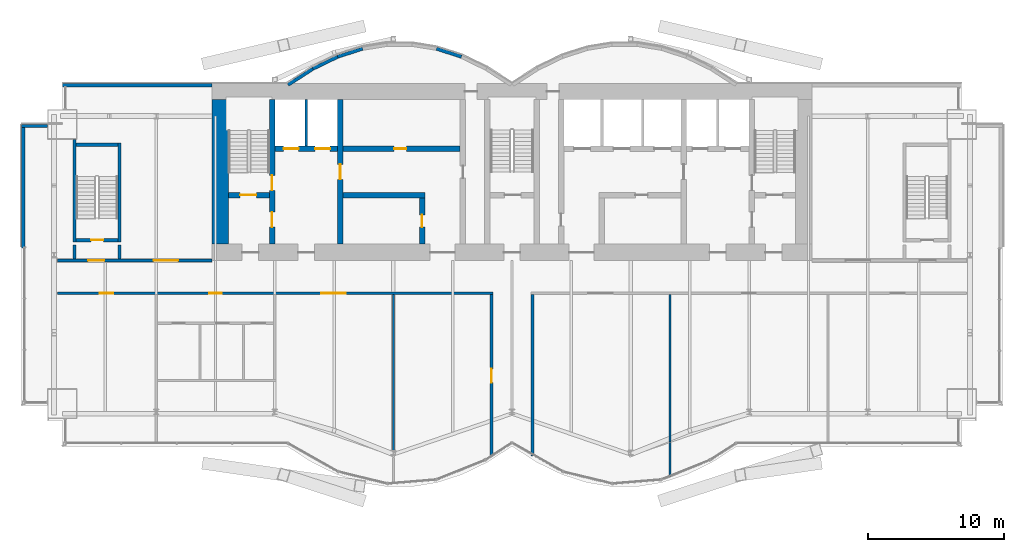
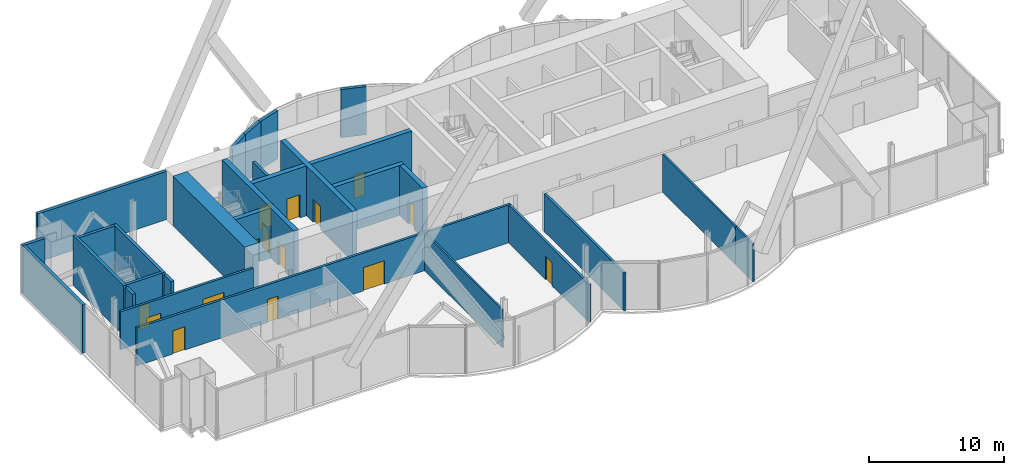
# One storey, part 14 of 20: 28 walls, 15 doors, 15 openings.
"""IFC4 building model written with IfcOpenShell, lengths in metres."""

from ifc_helpers import new_model, si_unit, direction, frame, frame_2d, origin, place, context, subcontext, project, spatial, rectangle, extrude, material, layer, layer_set, layer_usage, type_object, element, fill, save


model = new_model("IFC4")

# Units and contexts
model_context = context("Model", 3, precision=1e-05, world=origin(), true_north=direction((0.0, 1.0)))
body_context = subcontext(model_context, "Body", "Model", "MODEL_VIEW")
ifc_project = project(units=[si_unit("LENGTHUNIT", "METRE"), si_unit("AREAUNIT", "SQUARE_METRE"), si_unit("VOLUMEUNIT", "CUBIC_METRE"), si_unit("PLANEANGLEUNIT", "RADIAN"), si_unit("MASSUNIT", "GRAM", prefix="KILO")], contexts=[model_context])

# Site, building, storey
site_placement = place(None, origin())
site = spatial("IfcSite", under=ifc_project, at=site_placement, CompositionType="ELEMENT")
building_placement = place(site_placement, origin())
building = spatial("IfcBuilding", under=site, at=building_placement, Name="Bicima Exchange Tower", CompositionType="ELEMENT")
storey_placement = place(building_placement, frame((0.0, 0.0, 306.5)))
storey = spatial("IfcBuildingStorey", under=building, at=storey_placement, Name="L69", CompositionType="ELEMENT", Elevation=306.5)

# Wall
ifc_material_1 = material(Name="Gypsum board partition")
ifc_layer_1 = layer(ifc_material_1, 0.199951171875)
ifc_layer_set_1 = layer_set([ifc_layer_1], Name="Gypsum board partition")
wall_type_1 = type_object("IfcWallType", Name="Fire-rated gypsum partition 200 EI120", PredefinedType="PARTITIONING", material=ifc_layer_set_1)
wall_1_placement = place(storey_placement, frame((-15.10009765625, -4.60009765625, 0.0), z_axis=(0.0, 0.0, 1.0), x_axis=(0.0, 1.0, 0.0)))
element("IfcWall", 1, at=wall_1_placement, inside=storey, type_object=wall_type_1, Name="partition wall 9", PredefinedType="PARTITIONING", context=body_context, shape_type="SweptSolid", body=[
    extrude(rectangle(XDim=3.400146484375, YDim=0.199951171875, at=frame_2d((1.7001953125, 0.0))), origin(), (0.0, 0.0, 1.0), 3.418212890625),
])

# Wall, openings, doors
ifc_layer_2 = layer(ifc_material_1, 0.199951171875)
ifc_layer_set_2 = layer_set([ifc_layer_2], Name="Gypsum board partition")
wall_type_2 = type_object("IfcWallType", Name="Fire-rated gypsum partition 200 EI60", PredefinedType="PARTITIONING", material=ifc_layer_set_2)
wall_2_placement = place(storey_placement, frame((-33.340087890625, -15.39990234375, 0.0), z_axis=(0.0, 0.0, 1.0), x_axis=(1.0, 0.0, 0.0)))
wall_2 = element("IfcWall", 2, at=wall_2_placement, inside=storey, type_object=wall_type_2, Name="partition wall 3", PredefinedType="PARTITIONING", context=body_context, shape_type="SweptSolid", body=[
    extrude(rectangle(XDim=31.940185546875, YDim=0.199951171875, at=frame_2d((15.97021484375, 0.0))), origin(), (0.0, 0.0, 1.0), 3.418212890625),
])
opening_1_placement = place(wall_2_placement, frame((3.10009765625, 0.0, 0.0)))
opening_1 = element("IfcOpeningElement", 3, at=opening_1_placement, cuts=wall_2, Name="Opening L69-007", PredefinedType="OPENING", context=body_context, shape_type="SweptSolid", body=[
    extrude(rectangle(XDim=1.0, YDim=2.10009765625, at=frame_2d((0.5, 1.050048828125))), frame((0.0, 0.11181640625, 0.0), z_axis=(0.0, -1.0, 0.0), x_axis=(1.0, 0.0, 0.0)), (0.0, 0.0, 1.0), 0.223876953125),
])
opening_2_placement = place(wall_2_placement, frame((11.139892578125, 0.0, 0.0)))
opening_2 = element("IfcOpeningElement", 4, at=opening_2_placement, cuts=wall_2, Name="Opening L69-008", PredefinedType="OPENING", context=body_context, shape_type="SweptSolid", body=[
    extrude(rectangle(XDim=0.89990234375, YDim=2.10009765625, at=frame_2d((0.449951171875, 1.050048828125))), frame((0.0, 0.11181640625, 0.0), z_axis=(0.0, -1.0, 0.0), x_axis=(1.0, 0.0, 0.0)), (0.0, 0.0, 1.0), 0.223876953125),
])
opening_3_placement = place(wall_2_placement, frame((19.340087890625, 0.0, 0.0)))
opening_3 = element("IfcOpeningElement", 5, at=opening_3_placement, cuts=wall_2, Name="Opening L69-012", PredefinedType="OPENING", context=body_context, shape_type="SweptSolid", body=[
    extrude(rectangle(XDim=1.800048828125, YDim=2.10009765625, at=frame_2d((0.89990234375, 1.050048828125))), frame((0.0, 0.11181640625, 0.0), z_axis=(0.0, -1.0, 0.0), x_axis=(1.0, 0.0, 0.0)), (0.0, 0.0, 1.0), 0.223876953125),
])
ifc_material_2 = material(Name="Steel fire door leaf", Category="steel")
door_type_1 = type_object("IfcDoorType", Name="Door 1000 swing FD30S", OperationType="SINGLE_SWING_LEFT", PredefinedType="DOOR", material=ifc_material_2)
door_1_placement = place(opening_1_placement, frame((1.0, 0.0, 0.0), z_axis=(0.0, 0.0, 1.0), x_axis=(-1.0, 0.0, 0.0)))
door_1 = element("IfcDoor", 6, at=door_1_placement, inside=storey, type_object=door_type_1, Name="Door", OperationType="SINGLE_SWING_LEFT", OverallHeight=2.10009765625, OverallWidth=1.0, PredefinedType="DOOR", context=body_context, shape_type="SweptSolid", body=[
    extrude(rectangle(XDim=1.0, YDim=2.10009765625, at=frame_2d((0.5, 1.050048828125))), frame((0.0, 0.02490234375, 0.0), z_axis=(0.0, -1.0, 0.0), x_axis=(1.0, 0.0, 0.0)), (0.0, 0.0, 1.0), 0.050048828125),
])
fill(opening_1, door_1)
door_type_2 = type_object("IfcDoorType", Name="Door 1800 double swing FD30S", OperationType="DOUBLE_DOOR_SINGLE_SWING", PredefinedType="DOOR", material=ifc_material_2)
door_2_placement = place(opening_3_placement, origin())
door_2 = element("IfcDoor", 7, at=door_2_placement, inside=storey, type_object=door_type_2, Name="Door", OperationType="SINGLE_SWING_LEFT", OverallHeight=2.10009765625, OverallWidth=1.800048828125, PredefinedType="DOOR", context=body_context, shape_type="SweptSolid", body=[
    extrude(rectangle(XDim=1.800048828125, YDim=2.10009765625, at=frame_2d((0.89990234375, 1.050048828125))), frame((0.0, 0.02490234375, 0.0), z_axis=(0.0, -1.0, 0.0), x_axis=(1.0, 0.0, 0.0)), (0.0, 0.0, 1.0), 0.050048828125),
])
fill(opening_3, door_2)
door_type_3 = type_object("IfcDoorType", Name="Door 900 swing FD30S", OperationType="SINGLE_SWING_LEFT", PredefinedType="DOOR", material=ifc_material_2)
door_3_placement = place(opening_2_placement, frame((0.89990234375, 0.0, 0.0), z_axis=(0.0, 0.0, 1.0), x_axis=(-1.0, 0.0, 0.0)))
door_3 = element("IfcDoor", 8, at=door_3_placement, inside=storey, type_object=door_type_3, Name="Door", OperationType="SINGLE_SWING_RIGHT", OverallHeight=2.10009765625, OverallWidth=0.89990234375, PredefinedType="DOOR", context=body_context, shape_type="SweptSolid", body=[
    extrude(rectangle(XDim=0.89990234375, YDim=2.10009765625, at=frame_2d((0.449951171875, 1.050048828125))), frame((0.0, 0.02490234375, 0.0), z_axis=(0.0, -1.0, 0.0), x_axis=(1.0, 0.0, 0.0)), (0.0, 0.0, 1.0), 0.050048828125),
])
fill(opening_2, door_3)

wall_3_placement = place(storey_placement, frame((-33.340087890625, -13.0, 0.0), z_axis=(0.0, 0.0, 1.0), x_axis=(1.0, 0.0, 0.0)))
wall_3 = element("IfcWall", 9, at=wall_3_placement, inside=storey, type_object=wall_type_2, Name="partition wall 5", PredefinedType="PARTITIONING", context=body_context, shape_type="SweptSolid", body=[
    extrude(rectangle(XDim=11.340087890625, YDim=0.199951171875, at=frame_2d((5.669921875, 0.0))), origin(), (0.0, 0.0, 1.0), 3.418212890625),
])
opening_4_placement = place(wall_3_placement, frame((2.239990234375, 0.0, 0.0)))
opening_4 = element("IfcOpeningElement", 10, at=opening_4_placement, cuts=wall_3, Name="Opening L69-001", PredefinedType="OPENING", context=body_context, shape_type="SweptSolid", body=[
    extrude(rectangle(XDim=1.199951171875, YDim=2.10009765625, at=frame_2d((0.60009765625, 1.050048828125))), frame((0.0, 0.11181640625, 0.0), z_axis=(0.0, -1.0, 0.0), x_axis=(1.0, 0.0, 0.0)), (0.0, 0.0, 1.0), 0.223876953125),
])
opening_5_placement = place(wall_3_placement, frame((7.0400390625, 0.0, 0.0)))
opening_5 = element("IfcOpeningElement", 11, at=opening_5_placement, cuts=wall_3, Name="Opening L69-005", PredefinedType="OPENING", context=body_context, shape_type="SweptSolid", body=[
    extrude(rectangle(XDim=1.800048828125, YDim=2.10009765625, at=frame_2d((0.89990234375, 1.050048828125))), frame((0.0, 0.11181640625, 0.0), z_axis=(0.0, -1.0, 0.0), x_axis=(1.0, 0.0, 0.0)), (0.0, 0.0, 1.0), 0.223876953125),
])
door_type_4 = type_object("IfcDoorType", Name="Door 1200 swing FD30S", OperationType="SINGLE_SWING_LEFT", PredefinedType="DOOR", material=ifc_material_2)
door_4_placement = place(opening_4_placement, origin())
door_4 = element("IfcDoor", 12, at=door_4_placement, inside=storey, type_object=door_type_4, Name="Door", OperationType="SINGLE_SWING_LEFT", OverallHeight=2.10009765625, OverallWidth=1.199951171875, PredefinedType="DOOR", context=body_context, shape_type="SweptSolid", body=[
    extrude(rectangle(XDim=1.199951171875, YDim=2.10009765625, at=frame_2d((0.60009765625, 1.050048828125))), frame((0.0, 0.02490234375, 0.0), z_axis=(0.0, -1.0, 0.0), x_axis=(1.0, 0.0, 0.0)), (0.0, 0.0, 1.0), 0.050048828125),
])
fill(opening_4, door_4)
door_5_placement = place(opening_5_placement, origin())
door_5 = element("IfcDoor", 13, at=door_5_placement, inside=storey, type_object=door_type_2, Name="Door", OperationType="SINGLE_SWING_LEFT", OverallHeight=2.10009765625, OverallWidth=1.800048828125, PredefinedType="DOOR", context=body_context, shape_type="SweptSolid", body=[
    extrude(rectangle(XDim=1.800048828125, YDim=2.10009765625, at=frame_2d((0.89990234375, 1.050048828125))), frame((0.0, 0.02490234375, 0.0), z_axis=(0.0, -1.0, 0.0), x_axis=(1.0, 0.0, 0.0)), (0.0, 0.0, 1.0), 0.050048828125),
])
fill(opening_5, door_5)

# Wall, opening, door
wall_4_placement = place(storey_placement, frame((-1.5, -27.35009765625, 0.0), z_axis=(0.0, 0.0, 1.0), x_axis=(0.0, 1.0, 0.0)))
wall_4 = element("IfcWall", 14, at=wall_4_placement, inside=storey, type_object=wall_type_2, Name="partition wall 19", PredefinedType="PARTITIONING", context=body_context, shape_type="SweptSolid", body=[
    extrude(rectangle(XDim=11.85009765625, YDim=0.199951171875, at=frame_2d((5.925048828125, 0.0))), origin(), (0.0, 0.0, 1.0), 3.418212890625),
])
opening_6_placement = place(wall_4_placement, frame((5.39990234375, 0.0, 0.0)))
opening_6 = element("IfcOpeningElement", 15, at=opening_6_placement, cuts=wall_4, Name="Opening L69-013", PredefinedType="OPENING", context=body_context, shape_type="SweptSolid", body=[
    extrude(rectangle(XDim=1.0, YDim=2.10009765625, at=frame_2d((0.5, 1.050048828125))), frame((0.0, 0.11181640625, 0.0), z_axis=(0.0, -1.0, 0.0), x_axis=(1.0, 0.0, 0.0)), (0.0, 0.0, 1.0), 0.223876953125),
])
door_6_placement = place(opening_6_placement, origin())
door_6 = element("IfcDoor", 16, at=door_6_placement, inside=storey, type_object=door_type_1, Name="Door", OperationType="SINGLE_SWING_LEFT", OverallHeight=2.10009765625, OverallWidth=1.0, PredefinedType="DOOR", context=body_context, shape_type="SweptSolid", body=[
    extrude(rectangle(XDim=1.0, YDim=2.10009765625, at=frame_2d((0.5, 1.050048828125))), frame((0.0, 0.02490234375, 0.0), z_axis=(0.0, -1.0, 0.0), x_axis=(1.0, 0.0, 0.0)), (0.0, 0.0, 1.0), 0.050048828125),
])
fill(opening_6, door_6)

# Walls
wall_5_placement = place(storey_placement, frame((1.5, -27.35009765625, 0.0), z_axis=(0.0, 0.0, 1.0), x_axis=(0.0, 1.0, 0.0)))
element("IfcWall", 17, at=wall_5_placement, inside=storey, type_object=wall_type_2, Name="partition wall 20", PredefinedType="PARTITIONING", context=body_context, shape_type="SweptSolid", body=[
    extrude(rectangle(XDim=11.85009765625, YDim=0.199951171875, at=frame_2d((5.925048828125, 0.0))), origin(), (0.0, 0.0, 1.0), 3.418212890625),
])
ifc_layer_3 = layer(ifc_material_1, 0.14990234375)
ifc_layer_set_3 = layer_set([ifc_layer_3], Name="Gypsum board partition")
wall_type_3 = type_object("IfcWallType", Name="Gypsum partition 150", PredefinedType="PARTITIONING", material=ifc_layer_set_3)
wall_6_placement = place(storey_placement, frame((-8.699951171875, -26.97509765625, 0.0), z_axis=(0.0, 0.0, 1.0), x_axis=(0.0, 1.0, 0.0)))
element("IfcWall", 18, at=wall_6_placement, inside=storey, type_object=wall_type_3, Name="partition wall 18", PredefinedType="PARTITIONING", context=body_context, shape_type="SweptSolid", body=[
    extrude(rectangle(XDim=11.47509765625, YDim=0.14990234375, at=frame_2d((5.737548828125, 0.0))), origin(), (0.0, 0.0, 1.0), 3.418212890625),
])
wall_7_placement = place(storey_placement, frame((11.60009765625, -28.8798828125, 0.0), z_axis=(0.0, 0.0, 1.0), x_axis=(0.0, 1.0, 0.0)))
element("IfcWall", 19, at=wall_7_placement, inside=storey, type_object=wall_type_3, Name="partition wall 21", PredefinedType="PARTITIONING", context=body_context, shape_type="SweptSolid", body=[
    extrude(rectangle(XDim=2.539794921875, YDim=0.14990234375, at=frame_2d((1.27001953125, 0.0))), origin(), (0.0, 0.0, 1.0), 3.418212890625),
])
wall_8_placement = place(storey_placement, frame((11.60009765625, -26.315185546875, 0.0), z_axis=(0.0, 0.0, 1.0), x_axis=(0.0, 1.0, 0.0)))
element("IfcWall", 20, at=wall_8_placement, inside=storey, type_object=wall_type_3, Name="partition wall 22", PredefinedType="PARTITIONING", context=body_context, shape_type="SweptSolid", body=[
    extrude(rectangle(XDim=10.815185546875, YDim=0.14990234375, at=frame_2d((5.40771484375, 0.0))), origin(), (0.0, 0.0, 1.0), 3.418212890625),
])
ifc_material_3 = material(Name="Concrete C40/50", Category="concrete")
ifc_layer_4 = layer(ifc_material_3, 1.199951171875)
ifc_layer_set_4 = layer_set([ifc_layer_4], Name="Concrete C40/50")
wall_type_4 = type_object("IfcWallType", Name="RC core wall 1200 C40/50", PredefinedType="SHEAR", material=ifc_layer_set_4)
wall_9_placement = place(storey_placement, frame((-21.39990234375, -11.800048828125, 0.0), z_axis=(0.0, 0.0, 1.0), x_axis=(0.0, 1.0, 0.0)))
element("IfcWall", 21, at=wall_9_placement, inside=storey, type_object=wall_type_4, Name="Core wall west", PredefinedType="SHEAR", context=body_context, shape_type="SweptSolid", body=[
    extrude(rectangle(XDim=10.60009765625, YDim=1.199951171875, at=frame_2d((5.300048828125, 0.0))), origin(), (0.0, 0.0, 1.0), 4.5),
])
ifc_material_4 = material(Name="Concrete C50/60", Category="concrete")
ifc_layer_5 = layer(ifc_material_4, 0.25)
ifc_layer_set_5 = layer_set([ifc_layer_5], Name="Concrete C50/60")
wall_type_5 = type_object("IfcWallType", Name="RC core wall 250 C50/60", PredefinedType="SHEAR", material=ifc_layer_set_5)
for number, where, z_axis, x_axis, name in (
    (22, (-32.10009765625, -12.89990234375, 0.0), (0.0, 0.0, 1.0), (0.0, 1.0, 0.0), "stair wall 11"),
    (23, (-28.800048828125, -12.89990234375, 0.0), (0.0, 0.0, 1.0), (0.0, 1.0, 0.0), "stair wall 12"),
):
    element("IfcWall", number, at=place(storey_placement, frame(where, z_axis=z_axis, x_axis=x_axis)), inside=storey, type_object=wall_type_5, Name=name, PredefinedType="SHEAR", context=body_context, shape_type="SweptSolid", body=[
        extrude(rectangle(XDim=1.0498046875, YDim=0.25, at=frame_2d((0.52490234375, 0.0))), origin(), (0.0, 0.0, 1.0), 4.5),
    ])
ifc_layer_6 = layer(ifc_material_3, 0.39990234375)
ifc_layer_set_6 = layer_set([ifc_layer_6], Name="Concrete C40/50")
wall_type_6 = type_object("IfcWallType", Name="RC core wall 400 C40/50", PredefinedType="SHEAR", material=ifc_layer_set_6)
wall_10_placement = place(storey_placement, frame((-12.39990234375, -8.199951171875, 0.0), z_axis=(0.0, 0.0, 1.0), x_axis=(1.0, 0.0, 0.0)))
element("IfcWall", 24, at=wall_10_placement, inside=storey, type_object=wall_type_6, Name="shear wall 2", PredefinedType="SHEAR", context=body_context, shape_type="SweptSolid", body=[
    extrude(rectangle(XDim=6.0, YDim=0.39990234375, at=frame_2d((3.0, 0.0))), origin(), (0.0, 0.0, 1.0), 4.5),
])

# Wall, openings, doors
wall_11_placement = place(storey_placement, frame((-17.39990234375, -4.800048828125, 0.0), z_axis=(0.0, 0.0, 1.0), x_axis=(1.0, 0.0, 0.0)))
wall_11 = element("IfcWall", 25, at=wall_11_placement, inside=storey, type_object=wall_type_6, Name="shear wall 6", PredefinedType="SHEAR", context=body_context, shape_type="SweptSolid", body=[
    extrude(rectangle(XDim=13.599853515625, YDim=0.39990234375, at=frame_2d((6.7998046875, 0.0))), origin(), (0.0, 0.0, 1.0), 4.5),
])
opening_7_placement = place(wall_11_placement, frame((0.64990234375, 0.0, 0.0)))
opening_7 = element("IfcOpeningElement", 26, at=opening_7_placement, cuts=wall_11, Name="Opening LD-FF1-L69", PredefinedType="OPENING", context=body_context, shape_type="SweptSolid", body=[
    extrude(rectangle(XDim=1.10009765625, YDim=2.10009765625, at=frame_2d((0.550048828125, 1.050048828125))), frame((0.0, 0.2119140625, 0.0), z_axis=(0.0, -1.0, 0.0), x_axis=(1.0, 0.0, 0.0)), (0.0, 0.0, 1.0), 0.423828125),
])
opening_8_placement = place(wall_11_placement, frame((2.949951171875, 0.0, 0.0)))
opening_8 = element("IfcOpeningElement", 27, at=opening_8_placement, cuts=wall_11, Name="Opening LD-FF3-L69", PredefinedType="OPENING", context=body_context, shape_type="SweptSolid", body=[
    extrude(rectangle(XDim=1.10009765625, YDim=2.10009765625, at=frame_2d((0.550048828125, 1.050048828125))), frame((0.0, 0.2119140625, 0.0), z_axis=(0.0, -1.0, 0.0), x_axis=(1.0, 0.0, 0.0)), (0.0, 0.0, 1.0), 0.423828125),
])
opening_9_placement = place(wall_11_placement, frame((8.75, 0.0, 0.0)))
opening_9 = element("IfcOpeningElement", 28, at=opening_9_placement, cuts=wall_11, Name="Opening L69-C12", PredefinedType="OPENING", context=body_context, shape_type="SweptSolid", body=[
    extrude(rectangle(XDim=0.89990234375, YDim=2.10009765625, at=frame_2d((0.449951171875, 1.050048828125))), frame((0.0, 0.2119140625, 0.0), z_axis=(0.0, -1.0, 0.0), x_axis=(1.0, 0.0, 0.0)), (0.0, 0.0, 1.0), 0.423828125),
])
door_7_placement = place(opening_9_placement, origin())
door_7 = element("IfcDoor", 29, at=door_7_placement, inside=storey, type_object=door_type_3, Name="Core door", OperationType="SINGLE_SWING_RIGHT", OverallHeight=2.10009765625, OverallWidth=0.89990234375, PredefinedType="DOOR", context=body_context, shape_type="SweptSolid", body=[
    extrude(rectangle(XDim=0.89990234375, YDim=2.10009765625, at=frame_2d((0.449951171875, 1.050048828125))), frame((0.0, 0.02490234375, 0.0), z_axis=(0.0, -1.0, 0.0), x_axis=(1.0, 0.0, 0.0)), (0.0, 0.0, 1.0), 0.050048828125),
])
fill(opening_9, door_7)
ifc_material_5 = material(Name="Stainless steel", Category="steel")
door_type_5 = type_object("IfcDoorType", Name="Lift landing door 1100 sliding", OperationType="DOUBLE_DOOR_SLIDING", PredefinedType="DOOR", material=ifc_material_5)
door_8_placement = place(opening_7_placement, origin())
door_8 = element("IfcDoor", 30, at=door_8_placement, inside=storey, type_object=door_type_5, Name="Lift landing door FF1", OperationType="DOUBLE_DOOR_SLIDING", OverallHeight=2.10009765625, OverallWidth=1.10009765625, PredefinedType="DOOR", context=body_context, shape_type="SweptSolid", body=[
    extrude(rectangle(XDim=1.10009765625, YDim=2.10009765625, at=frame_2d((0.550048828125, 1.050048828125))), frame((0.0, 0.02490234375, 0.0), z_axis=(0.0, -1.0, 0.0), x_axis=(1.0, 0.0, 0.0)), (0.0, 0.0, 1.0), 0.050048828125),
])
fill(opening_7, door_8)
door_9_placement = place(opening_8_placement, origin())
door_9 = element("IfcDoor", 31, at=door_9_placement, inside=storey, type_object=door_type_5, Name="Lift landing door FF3", OperationType="DOUBLE_DOOR_SLIDING", OverallHeight=2.10009765625, OverallWidth=1.10009765625, PredefinedType="DOOR", context=body_context, shape_type="SweptSolid", body=[
    extrude(rectangle(XDim=1.10009765625, YDim=2.10009765625, at=frame_2d((0.550048828125, 1.050048828125))), frame((0.0, 0.02490234375, 0.0), z_axis=(0.0, -1.0, 0.0), x_axis=(1.0, 0.0, 0.0)), (0.0, 0.0, 1.0), 0.050048828125),
])
fill(opening_8, door_9)

# Wall, opening, door
wall_12_placement = place(storey_placement, frame((-12.60009765625, -11.800048828125, 0.0), z_axis=(0.0, 0.0, 1.0), x_axis=(0.0, 1.0, 0.0)))
wall_12 = element("IfcWall", 32, at=wall_12_placement, inside=storey, type_object=wall_type_6, Name="shear wall 10", PredefinedType="SHEAR", context=body_context, shape_type="SweptSolid", body=[
    extrude(rectangle(XDim=10.60009765625, YDim=0.39990234375, at=frame_2d((5.300048828125, 0.0))), origin(), (0.0, 0.0, 1.0), 4.5),
])
opening_10_placement = place(wall_12_placement, frame((4.75, 0.0, 0.0)))
opening_10 = element("IfcOpeningElement", 33, at=opening_10_placement, cuts=wall_12, Name="Opening L69-C07", PredefinedType="OPENING", context=body_context, shape_type="SweptSolid", body=[
    extrude(rectangle(XDim=1.10009765625, YDim=2.10009765625, at=frame_2d((0.550048828125, 1.050048828125))), frame((0.0, 0.2119140625, 0.0), z_axis=(0.0, -1.0, 0.0), x_axis=(1.0, 0.0, 0.0)), (0.0, 0.0, 1.0), 0.423828125),
])
door_type_6 = type_object("IfcDoorType", Name="Door 1100 swing FD60S", OperationType="SINGLE_SWING_LEFT", PredefinedType="DOOR", material=ifc_material_2)
door_10_placement = place(opening_10_placement, origin())
door_10 = element("IfcDoor", 34, at=door_10_placement, inside=storey, type_object=door_type_6, Name="Core door", OperationType="SINGLE_SWING_LEFT", OverallHeight=2.10009765625, OverallWidth=1.10009765625, PredefinedType="DOOR", context=body_context, shape_type="SweptSolid", body=[
    extrude(rectangle(XDim=1.10009765625, YDim=2.10009765625, at=frame_2d((0.550048828125, 1.050048828125))), frame((0.0, 0.02490234375, 0.0), z_axis=(0.0, -1.0, 0.0), x_axis=(1.0, 0.0, 0.0)), (0.0, 0.0, 1.0), 0.050048828125),
])
fill(opening_10, door_10)

wall_13_placement = place(storey_placement, frame((-6.60009765625, -11.800048828125, 0.0), z_axis=(0.0, 0.0, 1.0), x_axis=(0.0, 1.0, 0.0)))
wall_13 = element("IfcWall", 35, at=wall_13_placement, inside=storey, type_object=wall_type_6, Name="shear wall 11", PredefinedType="SHEAR", context=body_context, shape_type="SweptSolid", body=[
    extrude(rectangle(XDim=3.400146484375, YDim=0.39990234375, at=frame_2d((1.7001953125, 0.0))), origin(), (0.0, 0.0, 1.0), 4.5),
])
opening_11_placement = place(wall_13_placement, frame((1.25, 0.0, 0.0)))
opening_11 = element("IfcOpeningElement", 36, at=opening_11_placement, cuts=wall_13, Name="Opening L69-C13", PredefinedType="OPENING", context=body_context, shape_type="SweptSolid", body=[
    extrude(rectangle(XDim=0.89990234375, YDim=2.10009765625, at=frame_2d((0.449951171875, 1.050048828125))), frame((0.0, 0.2119140625, 0.0), z_axis=(0.0, -1.0, 0.0), x_axis=(1.0, 0.0, 0.0)), (0.0, 0.0, 1.0), 0.423828125),
])
door_11_placement = place(opening_11_placement, origin())
door_11 = element("IfcDoor", 37, at=door_11_placement, inside=storey, type_object=door_type_3, Name="Core door", OperationType="SINGLE_SWING_LEFT", OverallHeight=2.10009765625, OverallWidth=0.89990234375, PredefinedType="DOOR", context=body_context, shape_type="SweptSolid", body=[
    extrude(rectangle(XDim=0.89990234375, YDim=2.10009765625, at=frame_2d((0.449951171875, 1.050048828125))), frame((0.0, 0.02490234375, 0.0), z_axis=(0.0, -1.0, 0.0), x_axis=(1.0, 0.0, 0.0)), (0.0, 0.0, 1.0), 0.050048828125),
])
fill(opening_11, door_11)

ifc_layer_7 = layer(ifc_material_4, 0.39990234375)
ifc_layer_set_7 = layer_set([ifc_layer_7], Name="Concrete C50/60")
wall_type_7 = type_object("IfcWallType", Name="RC core wall 400 C50/60", PredefinedType="SHEAR", material=ifc_layer_set_7)
wall_14_placement = place(storey_placement, frame((-20.800048828125, -8.199951171875, 0.0), z_axis=(0.0, 0.0, 1.0), x_axis=(1.0, 0.0, 0.0)))
wall_14 = element("IfcWall", 38, at=wall_14_placement, inside=storey, type_object=wall_type_7, Name="stair wall 1", PredefinedType="SHEAR", context=body_context, shape_type="SweptSolid", body=[
    extrude(rectangle(XDim=3.0, YDim=0.39990234375, at=frame_2d((1.5, 0.0))), origin(), (0.0, 0.0, 1.0), 4.5),
])
opening_12_placement = place(wall_14_placement, frame((0.85009765625, 0.0, 0.0)))
opening_12 = element("IfcOpeningElement", 39, at=opening_12_placement, cuts=wall_14, Name="Opening L69-C01", PredefinedType="OPENING", context=body_context, shape_type="SweptSolid", body=[
    extrude(rectangle(XDim=1.199951171875, YDim=2.10009765625, at=frame_2d((0.60009765625, 1.050048828125))), frame((0.0, 0.2119140625, 0.0), z_axis=(0.0, -1.0, 0.0), x_axis=(1.0, 0.0, 0.0)), (0.0, 0.0, 1.0), 0.423828125),
])
door_type_7 = type_object("IfcDoorType", Name="Door 1200 swing FD60S", OperationType="SINGLE_SWING_LEFT", PredefinedType="DOOR", material=ifc_material_2)
door_12_placement = place(opening_12_placement, origin())
door_12 = element("IfcDoor", 40, at=door_12_placement, inside=storey, type_object=door_type_7, Name="Core door", OperationType="SINGLE_SWING_LEFT", OverallHeight=2.10009765625, OverallWidth=1.199951171875, PredefinedType="DOOR", context=body_context, shape_type="SweptSolid", body=[
    extrude(rectangle(XDim=1.199951171875, YDim=2.10009765625, at=frame_2d((0.60009765625, 1.050048828125))), frame((0.0, 0.02490234375, 0.0), z_axis=(0.0, -1.0, 0.0), x_axis=(1.0, 0.0, 0.0)), (0.0, 0.0, 1.0), 0.050048828125),
])
fill(opening_12, door_12)

# Wall, openings, doors
wall_15_placement = place(storey_placement, frame((-17.60009765625, -11.800048828125, 0.0), z_axis=(0.0, 0.0, 1.0), x_axis=(0.0, 1.0, 0.0)))
wall_15 = element("IfcWall", 41, at=wall_15_placement, inside=storey, type_object=wall_type_7, Name="stair wall 8", PredefinedType="SHEAR", context=body_context, shape_type="SweptSolid", body=[
    extrude(rectangle(XDim=10.60009765625, YDim=0.39990234375, at=frame_2d((5.300048828125, 0.0))), origin(), (0.0, 0.0, 1.0), 4.5),
])
opening_13_placement = place(wall_15_placement, frame((1.25, 0.0, 0.0)))
opening_13 = element("IfcOpeningElement", 42, at=opening_13_placement, cuts=wall_15, Name="Opening L69-C02", PredefinedType="OPENING", context=body_context, shape_type="SweptSolid", body=[
    extrude(rectangle(XDim=1.10009765625, YDim=2.10009765625, at=frame_2d((0.550048828125, 1.050048828125))), frame((0.0, 0.2119140625, 0.0), z_axis=(0.0, -1.0, 0.0), x_axis=(1.0, 0.0, 0.0)), (0.0, 0.0, 1.0), 0.423828125),
])
opening_14_placement = place(wall_15_placement, frame((3.949951171875, 0.0, 0.0)))
opening_14 = element("IfcOpeningElement", 43, at=opening_14_placement, cuts=wall_15, Name="Opening L69-C06", PredefinedType="OPENING", context=body_context, shape_type="SweptSolid", body=[
    extrude(rectangle(XDim=1.10009765625, YDim=2.10009765625, at=frame_2d((0.550048828125, 1.050048828125))), frame((0.0, 0.2119140625, 0.0), z_axis=(0.0, -1.0, 0.0), x_axis=(1.0, 0.0, 0.0)), (0.0, 0.0, 1.0), 0.423828125),
])
door_13_placement = place(opening_13_placement, frame((1.10009765625, 0.0, 0.0), z_axis=(0.0, 0.0, 1.0), x_axis=(-1.0, 0.0, 0.0)))
door_13 = element("IfcDoor", 44, at=door_13_placement, inside=storey, type_object=door_type_6, Name="Core door", OperationType="SINGLE_SWING_LEFT", OverallHeight=2.10009765625, OverallWidth=1.10009765625, PredefinedType="DOOR", context=body_context, shape_type="SweptSolid", body=[
    extrude(rectangle(XDim=1.10009765625, YDim=2.10009765625, at=frame_2d((0.550048828125, 1.050048828125))), frame((0.0, 0.02490234375, 0.0), z_axis=(0.0, -1.0, 0.0), x_axis=(1.0, 0.0, 0.0)), (0.0, 0.0, 1.0), 0.050048828125),
])
fill(opening_13, door_13)
door_14_placement = place(opening_14_placement, frame((1.10009765625, 0.0, 0.0), z_axis=(0.0, 0.0, 1.0), x_axis=(-1.0, 0.0, 0.0)))
door_14 = element("IfcDoor", 45, at=door_14_placement, inside=storey, type_object=door_type_6, Name="Core door", OperationType="SINGLE_SWING_LEFT", OverallHeight=2.10009765625, OverallWidth=1.10009765625, PredefinedType="DOOR", context=body_context, shape_type="SweptSolid", body=[
    extrude(rectangle(XDim=1.10009765625, YDim=2.10009765625, at=frame_2d((0.550048828125, 1.050048828125))), frame((0.0, 0.02490234375, 0.0), z_axis=(0.0, -1.0, 0.0), x_axis=(1.0, 0.0, 0.0)), (0.0, 0.0, 1.0), 0.050048828125),
])
fill(opening_14, door_14)

# Walls
ifc_layer_8 = layer(ifc_material_4, 0.25)
ifc_layer_set_8 = layer_set([ifc_layer_8], Name="Concrete C50/60")
wall_type_8 = type_object("IfcWallType", Name="RC stair enclosure wall 250 C50/60", PredefinedType="SHEAR", material=ifc_layer_set_8)
wall_16_placement = place(storey_placement, frame((-32.10009765625, -11.625, 0.0), z_axis=(0.0, 0.0, 1.0), x_axis=(0.0, 1.0, 0.0)))
element("IfcWall", 46, at=wall_16_placement, inside=storey, type_object=wall_type_8, Name="West end exit stair wall W", PredefinedType="SHEAR", context=body_context, shape_type="SweptSolid", body=[
    extrude(rectangle(XDim=7.52490234375, YDim=0.25, at=frame_2d((3.762451171875, 0.0))), origin(), (0.0, 0.0, 1.0), 4.5),
])
wall_17_placement = place(storey_placement, frame((-28.800048828125, -11.625, 0.0), z_axis=(0.0, 0.0, 1.0), x_axis=(0.0, 1.0, 0.0)))
element("IfcWall", 47, at=wall_17_placement, inside=storey, type_object=wall_type_8, Name="West end exit stair wall E", PredefinedType="SHEAR", context=body_context, shape_type="SweptSolid", body=[
    extrude(rectangle(XDim=7.25, YDim=0.25, at=frame_2d((3.625, 0.0))), origin(), (0.0, 0.0, 1.0), 4.5),
])

# Wall, opening, door
wall_18_placement = place(storey_placement, frame((-31.97509765625, -11.5, 0.0), z_axis=(0.0, 0.0, 1.0), x_axis=(1.0, 0.0, 0.0)))
wall_18 = element("IfcWall", 48, at=wall_18_placement, inside=storey, type_object=wall_type_8, Name="West end exit stair wall S", PredefinedType="SHEAR", context=body_context, shape_type="SweptSolid", body=[
    extrude(rectangle(XDim=3.050048828125, YDim=0.25, at=frame_2d((1.52490234375, 0.0))), origin(), (0.0, 0.0, 1.0), 4.5),
])
opening_15_placement = place(wall_18_placement, frame((1.10009765625, 0.0, 0.0)))
opening_15 = element("IfcOpeningElement", 49, at=opening_15_placement, cuts=wall_18, Name="Opening L69-002", PredefinedType="OPENING", context=body_context, shape_type="SweptSolid", body=[
    extrude(rectangle(XDim=0.89990234375, YDim=2.10009765625, at=frame_2d((0.449951171875, 1.050048828125))), frame((0.0, 0.136962890625, 0.0), z_axis=(0.0, -1.0, 0.0), x_axis=(1.0, 0.0, 0.0)), (0.0, 0.0, 1.0), 0.27392578125),
])
door_type_8 = type_object("IfcDoorType", Name="Door 900 swing FD60S", OperationType="SINGLE_SWING_LEFT", PredefinedType="DOOR", material=ifc_material_2)
door_15_placement = place(opening_15_placement, origin())
door_15 = element("IfcDoor", 50, at=door_15_placement, inside=storey, type_object=door_type_8, Name="Door", OperationType="SINGLE_SWING_LEFT", OverallHeight=2.10009765625, OverallWidth=0.89990234375, PredefinedType="DOOR", context=body_context, shape_type="SweptSolid", body=[
    extrude(rectangle(XDim=0.89990234375, YDim=2.10009765625, at=frame_2d((0.449951171875, 1.050048828125))), frame((0.0, 0.02490234375, 0.0), z_axis=(0.0, -1.0, 0.0), x_axis=(1.0, 0.0, 0.0)), (0.0, 0.0, 1.0), 0.050048828125),
])
fill(opening_15, door_15)

# Walls
wall_19_placement = place(storey_placement, frame((-31.97509765625, -4.5, 0.0), z_axis=(0.0, 0.0, 1.0), x_axis=(1.0, 0.0, 0.0)))
element("IfcWall", 51, at=wall_19_placement, inside=storey, type_object=wall_type_8, Name="West end exit stair wall N", PredefinedType="SHEAR", context=body_context, shape_type="SweptSolid", body=[
    extrude(rectangle(XDim=3.050048828125, YDim=0.25, at=frame_2d((1.52490234375, 0.0))), origin(), (0.0, 0.0, 1.0), 4.5),
])
ifc_layer_9 = layer(ifc_material_3, 0.25)
ifc_layer_set_9 = layer_set([ifc_layer_9], Name="Concrete C40/50")
ifc_layer_usage = layer_usage(ifc_layer_set_9, "AXIS2", "POSITIVE", -0.125)
wall_type_9 = type_object("IfcWallType", Name="Rear backup wall 250", PredefinedType="STANDARD", material=ifc_layer_set_9)
for number, where, z_axis, x_axis, name in (
    (52, (-3.705078125, 1.955078125, 0.0), (0.0, 0.0, 1.0), (-0.951495806175, 0.307661714928, 0.0), "Rear backup wall L69 13"),
    (53, (-10.961669921875, 2.5478515625, 0.0), (0.0, 0.0, 1.0), (-0.951495806175, -0.307661714928, 0.0), "Rear backup wall L69 17"),
):
    element("IfcWall", number, at=place(storey_placement, frame(where, z_axis=z_axis, x_axis=x_axis)), inside=storey, type_object=wall_type_9, material=ifc_layer_usage, Name=name, PredefinedType="STANDARD", context=body_context, shape_type="SweptSolid", body=[
        extrude(rectangle(XDim=1.9267578125, YDim=0.25, at=frame_2d((0.96337890625, 0.0))), origin(), (0.0, 0.0, 1.0), 4.35009765625),
    ])
wall_20_placement = place(storey_placement, frame((-12.77880859375, 1.961669921875, 0.0), z_axis=(0.0, 0.0, 1.0), x_axis=(-0.89982408427, -0.436252928206, 0.0)))
element("IfcWall", 54, at=wall_20_placement, inside=storey, type_object=wall_type_9, material=ifc_layer_usage, Name="Rear backup wall L69 18", PredefinedType="STANDARD", context=body_context, shape_type="SweptSolid", body=[
    extrude(rectangle(XDim=2.03759765625, YDim=0.25, at=frame_2d((1.018798828125, 0.0))), origin(), (0.0, 0.0, 1.0), 4.35009765625),
])
wall_21_placement = place(storey_placement, frame((-14.598876953125, 1.080078125, 0.0), z_axis=(0.0, 0.0, 1.0), x_axis=(-0.83981312244, -0.542875602121, 0.0)))
element("IfcWall", 55, at=wall_21_placement, inside=storey, type_object=wall_type_9, material=ifc_layer_usage, Name="Rear backup wall L69 19", PredefinedType="STANDARD", context=body_context, shape_type="SweptSolid", body=[
    extrude(rectangle(XDim=2.182861328125, YDim=0.25, at=frame_2d((1.09130859375, 0.0))), origin(), (0.0, 0.0, 1.0), 4.35009765625),
])
wall_22_placement = place(storey_placement, frame((-22.0, -0.125, 0.0), z_axis=(0.0, 0.0, 1.0), x_axis=(-1.0, 0.0, 0.0)))
element("IfcWall", 56, at=wall_22_placement, inside=storey, type_object=wall_type_9, material=ifc_layer_usage, Name="Rear backup wall L69 20", PredefinedType="STANDARD", context=body_context, shape_type="SweptSolid", body=[
    extrude(rectangle(XDim=11.0, YDim=0.25, at=frame_2d((5.5, 0.0))), origin(), (0.0, 0.0, 1.0), 4.35009765625),
])
wall_23_placement = place(storey_placement, frame((-34.10009765625, -3.125, 0.0), z_axis=(0.0, 0.0, 1.0), x_axis=(-1.0, 0.0, 0.0)))
element("IfcWall", 57, at=wall_23_placement, inside=storey, type_object=wall_type_9, material=ifc_layer_usage, Name="Rear backup wall L69 22", PredefinedType="STANDARD", context=body_context, shape_type="SweptSolid", body=[
    extrude(rectangle(XDim=1.89990234375, YDim=0.25, at=frame_2d((0.949951171875, 0.0))), origin(), (0.0, 0.0, 1.0), 4.35009765625),
])
wall_24_placement = place(storey_placement, frame((-35.875, -3.0, 0.0), z_axis=(0.0, 0.0, 1.0), x_axis=(0.0, -1.0, 0.0)))
element("IfcWall", 58, at=wall_24_placement, inside=storey, type_object=wall_type_9, material=ifc_layer_usage, Name="Rear backup wall L69 23", PredefinedType="STANDARD", context=body_context, shape_type="SweptSolid", body=[
    extrude(rectangle(XDim=9.090087890625, YDim=0.25, at=frame_2d((4.544921875, 0.0))), origin(), (0.0, 0.0, 1.0), 4.35009765625),
])

save(model, "model.ifc")
